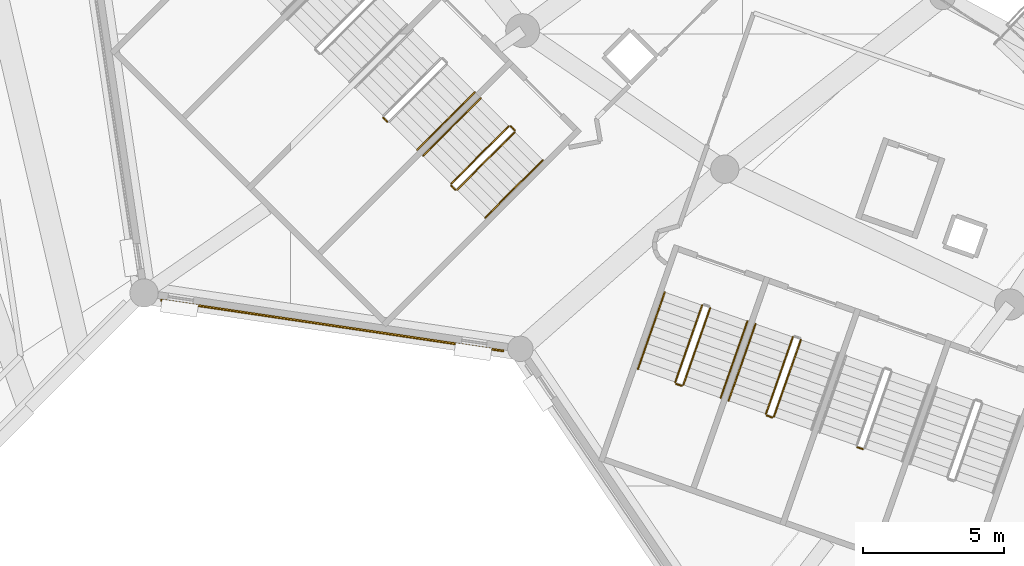
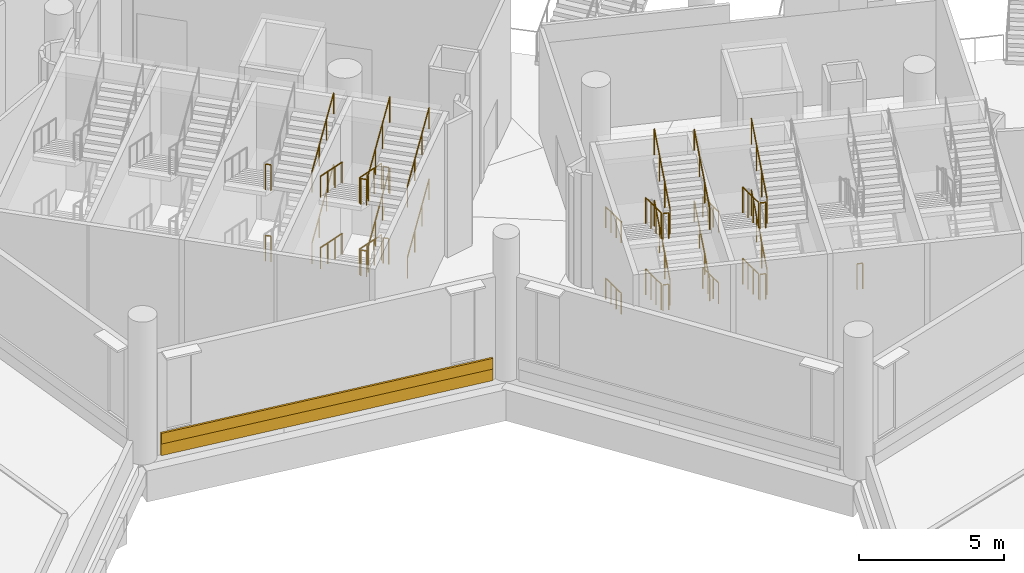
# One storey, part 108 of 173: 35 railings, 2 coverings.
"""IFC4 building model written with IfcOpenShell, lengths in metres."""

from ifc_helpers import new_model, si_unit, direction, frame, origin, origin_2d, place, context, subcontext, project, spatial, rectangle, circle, extrude, material, layer, layer_set, type_object, element, save


model = new_model("IFC4")

# Units and contexts
model_context = context("Model", 3, precision=1e-05, world=origin(), true_north=direction((0.0, 1.0)))
body_context = subcontext(model_context, "Body", "Model", "MODEL_VIEW")
ifc_project = project(units=[si_unit("LENGTHUNIT", "METRE"), si_unit("AREAUNIT", "SQUARE_METRE"), si_unit("VOLUMEUNIT", "CUBIC_METRE"), si_unit("PLANEANGLEUNIT", "RADIAN"), si_unit("MASSUNIT", "GRAM", prefix="KILO")], contexts=[model_context])

# Site, building, storey
site_placement = place(None, origin())
site = spatial("IfcSite", under=ifc_project, at=site_placement, CompositionType="ELEMENT")
building_placement = place(site_placement, origin())
building = spatial("IfcBuilding", under=site, at=building_placement, Name="Meseta Stadium", CompositionType="ELEMENT")
storey_placement = place(building_placement, frame((0.0, 0.0, 18.0)))
storey = spatial("IfcBuildingStorey", under=building, at=storey_placement, Name="L03", CompositionType="ELEMENT", Elevation=18.0)

# Covering
ifc_material_1 = material(Name="Guadarrama granite cladding", Category="masonry")
ifc_layer_1 = layer(ifc_material_1, 0.06005859375)
ifc_layer_set_1 = layer_set([ifc_layer_1], Name="Granite plinth cladding 60")
covering_type_1 = type_object("IfcCoveringType", Name="Granite plinth cladding 60", PredefinedType="CLADDING", material=ifc_layer_set_1)
covering_1_placement = place(storey_placement, frame((-78.51318359375, -90.319091796875, 0.0), z_axis=(0.0, 0.0, 1.0), x_axis=(-0.989158319768, 0.146853050476, 0.0)))
element("IfcCovering", 1, at=covering_1_placement, inside=storey, type_object=covering_type_1, Name="Granite plinth L03 F40", PredefinedType="CLADDING", context=body_context, shape_type="SweptSolid", body=[
    extrude(rectangle(XDim=12.274169921875, YDim=0.06005859375, at=origin_2d()), origin(), (0.0, 0.0, 1.0), 0.5),
])

# Railings
ifc_material_2 = material(Name="Steel S355", Category="steel")
railing_type_1 = type_object("IfcRailingType", Name="Stair guard 1100", PredefinedType="GUARDRAIL", material=ifc_material_2)
for number, where, name in (
    (2, (-76.709716796875, -82.972412109375, 1.5), "ST83 L03 guard 2"),
    (3, (-76.709716796875, -82.972412109375, 4.5), "ST83 L03 guard 6"),
):
    element("IfcRailing", number, at=place(storey_placement, frame(where)), inside=storey, type_object=railing_type_1, Name=name, PredefinedType="GUARDRAIL", context=body_context, shape_type="SweptSolid", body=[
        extrude(circle(Radius=0.02392578125, at=origin_2d()), frame((0.0, 0.0, 1.076171875), z_axis=(0.707716618519, -0.706496417452, 0.0), x_axis=(0.706496417452, 0.707716618519, 0.0)), (0.0, 0.0, 1.0), 0.2001953125),
        extrude(circle(Radius=0.02099609375, at=origin_2d()), origin(), (0.0, 0.0, 1.0), 1.052001953125),
        extrude(circle(Radius=0.02099609375, at=origin_2d()), frame((0.1416015625, -0.141357421875, 0.0)), (0.0, 0.0, 1.0), 1.052001953125),
    ])
railing_1_placement = place(storey_placement, frame((-72.26904296875, -83.269287109375, 0.14990234375)))
element("IfcRailing", 4, at=railing_1_placement, inside=storey, type_object=railing_type_1, Name="ST84 L03 guard 1", PredefinedType="GUARDRAIL", context=body_context, shape_type="SweptSolid", body=[
    extrude(circle(Radius=0.02392578125, at=origin_2d()), frame((0.0, 0.0, 1.076171875), z_axis=(-0.640211215754, -0.640287970486, 0.424453665402), x_axis=(0.707149164786, -0.707064395047, 0.0)), (0.0, 0.0, 1.0), 3.180908203125),
    extrude(circle(Radius=0.02099609375, at=origin_2d()), origin(), (0.0, 0.0, 1.0), 1.052001953125),
    extrude(circle(Radius=0.02099609375, at=origin_2d()), frame((-0.6787109375, -0.678955078125, 0.449951171875)), (0.0, 0.0, 1.0), 1.052001953125),
    extrude(circle(Radius=0.02099609375, at=origin_2d()), frame((-1.357666015625, -1.357666015625, 0.900146484375)), (0.0, 0.0, 1.0), 1.052001953125),
    extrude(circle(Radius=0.02099609375, at=origin_2d()), frame((-2.036376953125, -2.03662109375, 1.35009765625)), (0.0, 0.0, 1.0), 1.052001953125),
])
railing_2_placement = place(storey_placement, frame((-74.305419921875, -85.37646484375, 1.5)))
element("IfcRailing", 5, at=railing_2_placement, inside=storey, type_object=railing_type_1, Name="ST84 L03 guard 2", PredefinedType="GUARDRAIL", context=body_context, shape_type="SweptSolid", body=[
    extrude(circle(Radius=0.02392578125, at=origin_2d()), frame((0.0, 0.0, 1.076171875), z_axis=(0.706496417452, -0.707716618519, 0.0), x_axis=(0.707716618519, 0.706496417452, 0.0)), (0.0, 0.0, 1.0), 0.2001953125),
    extrude(circle(Radius=0.02099609375, at=origin_2d()), origin(), (0.0, 0.0, 1.0), 1.052001953125),
    extrude(circle(Radius=0.02099609375, at=origin_2d()), frame((0.141357421875, -0.1416015625, 0.0)), (0.0, 0.0, 1.0), 1.052001953125),
])
railing_3_placement = place(storey_placement, frame((-74.09326171875, -85.51806640625, 1.64990234375)))
element("IfcRailing", 6, at=railing_3_placement, inside=storey, type_object=railing_type_1, Name="ST84 L03 guard 3", PredefinedType="GUARDRAIL", context=body_context, shape_type="SweptSolid", body=[
    extrude(circle(Radius=0.02392578125, at=origin_2d()), frame((0.0, 0.0, 1.076171875), z_axis=(0.640211215754, 0.640287970486, 0.424453665402), x_axis=(-0.707149164786, 0.707064395047, 0.0)), (0.0, 0.0, 1.0), 3.180908203125),
    extrude(circle(Radius=0.02099609375, at=origin_2d()), origin(), (0.0, 0.0, 1.0), 1.052001953125),
    extrude(circle(Radius=0.02099609375, at=origin_2d()), frame((0.6787109375, 0.678955078125, 0.449951171875)), (0.0, 0.0, 1.0), 1.052001953125),
    extrude(circle(Radius=0.02099609375, at=origin_2d()), frame((1.357666015625, 1.357666015625, 0.900146484375)), (0.0, 0.0, 1.0), 1.052001953125),
    extrude(circle(Radius=0.02099609375, at=origin_2d()), frame((2.036376953125, 2.03662109375, 1.35009765625)), (0.0, 0.0, 1.0), 1.052001953125),
])
railing_4_placement = place(storey_placement, frame((-72.1982421875, -83.269287109375, 3.0)))
element("IfcRailing", 7, at=railing_4_placement, inside=storey, type_object=railing_type_1, Name="ST84 L03 guard 4", PredefinedType="GUARDRAIL", context=body_context, shape_type="SweptSolid", body=[
    extrude(circle(Radius=0.02392578125, at=origin_2d()), frame((0.0, 0.0, 1.076171875), z_axis=(0.706496417452, -0.707716618519, 0.0), x_axis=(0.707716618519, 0.706496417452, 0.0)), (0.0, 0.0, 1.0), 0.2001953125),
    extrude(circle(Radius=0.02099609375, at=origin_2d()), origin(), (0.0, 0.0, 1.0), 1.052001953125),
    extrude(circle(Radius=0.02099609375, at=origin_2d()), frame((0.141357421875, -0.1416015625, 0.0)), (0.0, 0.0, 1.0), 1.052001953125),
])
railing_5_placement = place(storey_placement, frame((-72.26904296875, -83.269287109375, 3.14990234375)))
element("IfcRailing", 8, at=railing_5_placement, inside=storey, type_object=railing_type_1, Name="ST84 L03 guard 5", PredefinedType="GUARDRAIL", context=body_context, shape_type="SweptSolid", body=[
    extrude(circle(Radius=0.02392578125, at=origin_2d()), frame((0.0, 0.0, 1.076171875), z_axis=(-0.640211215754, -0.640287970486, 0.424453665402), x_axis=(0.707149164786, -0.707064395047, 0.0)), (0.0, 0.0, 1.0), 3.180908203125),
    extrude(circle(Radius=0.02099609375, at=origin_2d()), origin(), (0.0, 0.0, 1.0), 1.052001953125),
    extrude(circle(Radius=0.02099609375, at=origin_2d()), frame((-0.6787109375, -0.678955078125, 0.449951171875)), (0.0, 0.0, 1.0), 1.052001953125),
    extrude(circle(Radius=0.02099609375, at=origin_2d()), frame((-1.357666015625, -1.357666015625, 0.900146484375)), (0.0, 0.0, 1.0), 1.052001953125),
    extrude(circle(Radius=0.02099609375, at=origin_2d()), frame((-2.036376953125, -2.03662109375, 1.35009765625)), (0.0, 0.0, 1.0), 1.052001953125),
])
railing_6_placement = place(storey_placement, frame((-74.305419921875, -85.37646484375, 4.5)))
element("IfcRailing", 9, at=railing_6_placement, inside=storey, type_object=railing_type_1, Name="ST84 L03 guard 6", PredefinedType="GUARDRAIL", context=body_context, shape_type="SweptSolid", body=[
    extrude(circle(Radius=0.02392578125, at=origin_2d()), frame((0.0, 0.0, 1.076171875), z_axis=(0.706496417452, -0.707716618519, 0.0), x_axis=(0.707716618519, 0.706496417452, 0.0)), (0.0, 0.0, 1.0), 0.2001953125),
    extrude(circle(Radius=0.02099609375, at=origin_2d()), origin(), (0.0, 0.0, 1.0), 1.052001953125),
    extrude(circle(Radius=0.02099609375, at=origin_2d()), frame((0.141357421875, -0.1416015625, 0.0)), (0.0, 0.0, 1.0), 1.052001953125),
])
railing_7_placement = place(storey_placement, frame((-74.09326171875, -85.51806640625, 4.64990234375)))
element("IfcRailing", 10, at=railing_7_placement, inside=storey, type_object=railing_type_1, Name="ST84 L03 guard 7", PredefinedType="GUARDRAIL", context=body_context, shape_type="SweptSolid", body=[
    extrude(circle(Radius=0.02392578125, at=origin_2d()), frame((0.0, 0.0, 1.076171875), z_axis=(0.640211215754, 0.640287970486, 0.424453665402), x_axis=(-0.707149164786, 0.707064395047, 0.0)), (0.0, 0.0, 1.0), 3.180908203125),
    extrude(circle(Radius=0.02099609375, at=origin_2d()), origin(), (0.0, 0.0, 1.0), 1.052001953125),
    extrude(circle(Radius=0.02099609375, at=origin_2d()), frame((0.6787109375, 0.678955078125, 0.449951171875)), (0.0, 0.0, 1.0), 1.052001953125),
    extrude(circle(Radius=0.02099609375, at=origin_2d()), frame((1.357666015625, 1.357666015625, 0.900146484375)), (0.0, 0.0, 1.0), 1.052001953125),
    extrude(circle(Radius=0.02099609375, at=origin_2d()), frame((2.036376953125, 2.03662109375, 1.35009765625)), (0.0, 0.0, 1.0), 1.052001953125),
])
railing_8_placement = place(storey_placement, frame((-72.1982421875, -83.269287109375, 0.0)))
element("IfcRailing", 11, at=railing_8_placement, inside=storey, type_object=railing_type_1, Name="ST84 L03 guard 8", PredefinedType="GUARDRAIL", context=body_context, shape_type="SweptSolid", body=[
    extrude(circle(Radius=0.02392578125, at=origin_2d()), frame((0.0, 0.0, 1.076171875), z_axis=(0.706496417452, -0.707716618519, 0.0), x_axis=(0.707716618519, 0.706496417452, 0.0)), (0.0, 0.0, 1.0), 0.2001953125),
    extrude(circle(Radius=0.02099609375, at=origin_2d()), origin(), (0.0, 0.0, 1.0), 1.052001953125),
    extrude(circle(Radius=0.02099609375, at=origin_2d()), frame((0.141357421875, -0.1416015625, 0.0)), (0.0, 0.0, 1.0), 1.052001953125),
])
railing_9_placement = place(storey_placement, frame((-65.421630859375, -89.608154296875, 0.14990234375)))
element("IfcRailing", 12, at=railing_9_placement, inside=storey, type_object=railing_type_1, Name="ST85 L03 guard 1", PredefinedType="GUARDRAIL", context=body_context, shape_type="SweptSolid", body=[
    extrude(circle(Radius=0.02392578125, at=origin_2d()), frame((0.0, 0.0, 1.076171875), z_axis=(-0.299050945451, -0.854628651604, 0.424474262922), x_axis=(0.943882143717, -0.33028245302, 0.0)), (0.0, 0.0, 1.0), 3.1806640625),
    extrude(circle(Radius=0.02099609375, at=origin_2d()), origin(), (0.0, 0.0, 1.0), 1.052001953125),
    extrude(circle(Radius=0.02099609375, at=origin_2d()), frame((-0.317138671875, -0.906005859375, 0.449951171875)), (0.0, 0.0, 1.0), 1.052001953125),
    extrude(circle(Radius=0.02099609375, at=origin_2d()), frame((-0.634033203125, -1.812255859375, 0.900146484375)), (0.0, 0.0, 1.0), 1.052001953125),
    extrude(circle(Radius=0.02099609375, at=origin_2d()), frame((-0.951171875, -2.71826171875, 1.35009765625)), (0.0, 0.0, 1.0), 1.052001953125),
])
railing_10_placement = place(storey_placement, frame((-66.342041015625, -92.39013671875, 1.5)))
element("IfcRailing", 13, at=railing_10_placement, inside=storey, type_object=railing_type_1, Name="ST85 L03 guard 2", PredefinedType="GUARDRAIL", context=body_context, shape_type="SweptSolid", body=[
    extrude(circle(Radius=0.02392578125, at=origin_2d()), frame((0.0, 0.0, 1.076171875), z_axis=(0.943686935281, -0.330839792317, 0.0), x_axis=(0.330839792317, 0.943686935281, 0.0)), (0.0, 0.0, 1.0), 0.199951171875),
    extrude(circle(Radius=0.02099609375, at=origin_2d()), origin(), (0.0, 0.0, 1.0), 1.052001953125),
    extrude(circle(Radius=0.02099609375, at=origin_2d()), frame((0.188720703125, -0.066162109375, 0.0)), (0.0, 0.0, 1.0), 1.052001953125),
])
railing_11_placement = place(storey_placement, frame((-66.089599609375, -92.425537109375, 1.64990234375)))
element("IfcRailing", 14, at=railing_11_placement, inside=storey, type_object=railing_type_1, Name="ST85 L03 guard 3", PredefinedType="GUARDRAIL", context=body_context, shape_type="SweptSolid", body=[
    extrude(circle(Radius=0.02392578125, at=origin_2d()), frame((0.0, 0.0, 1.076171875), z_axis=(0.299050945451, 0.854628651604, 0.424474262922), x_axis=(-0.943882143717, 0.33028245302, 0.0)), (0.0, 0.0, 1.0), 3.1806640625),
    extrude(circle(Radius=0.02099609375, at=origin_2d()), origin(), (0.0, 0.0, 1.0), 1.052001953125),
    extrude(circle(Radius=0.02099609375, at=origin_2d()), frame((0.317138671875, 0.906005859375, 0.449951171875)), (0.0, 0.0, 1.0), 1.052001953125),
    extrude(circle(Radius=0.02099609375, at=origin_2d()), frame((0.634033203125, 1.812255859375, 0.900146484375)), (0.0, 0.0, 1.0), 1.052001953125),
    extrude(circle(Radius=0.02099609375, at=origin_2d()), frame((0.951171875, 2.71826171875, 1.35009765625)), (0.0, 0.0, 1.0), 1.052001953125),
])
railing_12_placement = place(storey_placement, frame((-65.421630859375, -89.608154296875, 3.14990234375)))
element("IfcRailing", 15, at=railing_12_placement, inside=storey, type_object=railing_type_1, Name="ST85 L03 guard 5", PredefinedType="GUARDRAIL", context=body_context, shape_type="SweptSolid", body=[
    extrude(circle(Radius=0.02392578125, at=origin_2d()), frame((0.0, 0.0, 1.076171875), z_axis=(-0.299050945451, -0.854628651604, 0.424474262922), x_axis=(0.943882143717, -0.33028245302, 0.0)), (0.0, 0.0, 1.0), 3.1806640625),
    extrude(circle(Radius=0.02099609375, at=origin_2d()), origin(), (0.0, 0.0, 1.0), 1.052001953125),
    extrude(circle(Radius=0.02099609375, at=origin_2d()), frame((-0.317138671875, -0.906005859375, 0.449951171875)), (0.0, 0.0, 1.0), 1.052001953125),
    extrude(circle(Radius=0.02099609375, at=origin_2d()), frame((-0.634033203125, -1.812255859375, 0.900146484375)), (0.0, 0.0, 1.0), 1.052001953125),
    extrude(circle(Radius=0.02099609375, at=origin_2d()), frame((-0.951171875, -2.71826171875, 1.35009765625)), (0.0, 0.0, 1.0), 1.052001953125),
])
railing_13_placement = place(storey_placement, frame((-66.342041015625, -92.39013671875, 4.5)))
element("IfcRailing", 16, at=railing_13_placement, inside=storey, type_object=railing_type_1, Name="ST85 L03 guard 6", PredefinedType="GUARDRAIL", context=body_context, shape_type="SweptSolid", body=[
    extrude(circle(Radius=0.02392578125, at=origin_2d()), frame((0.0, 0.0, 1.076171875), z_axis=(0.943686935281, -0.330839792317, 0.0), x_axis=(0.330839792317, 0.943686935281, 0.0)), (0.0, 0.0, 1.0), 0.199951171875),
    extrude(circle(Radius=0.02099609375, at=origin_2d()), origin(), (0.0, 0.0, 1.0), 1.052001953125),
    extrude(circle(Radius=0.02099609375, at=origin_2d()), frame((0.188720703125, -0.066162109375, 0.0)), (0.0, 0.0, 1.0), 1.052001953125),
])
railing_14_placement = place(storey_placement, frame((-66.089599609375, -92.425537109375, 4.64990234375)))
element("IfcRailing", 17, at=railing_14_placement, inside=storey, type_object=railing_type_1, Name="ST85 L03 guard 7", PredefinedType="GUARDRAIL", context=body_context, shape_type="SweptSolid", body=[
    extrude(circle(Radius=0.02392578125, at=origin_2d()), frame((0.0, 0.0, 1.076171875), z_axis=(0.299050945451, 0.854628651604, 0.424474262922), x_axis=(-0.943882143717, 0.33028245302, 0.0)), (0.0, 0.0, 1.0), 3.1806640625),
    extrude(circle(Radius=0.02099609375, at=origin_2d()), origin(), (0.0, 0.0, 1.0), 1.052001953125),
    extrude(circle(Radius=0.02099609375, at=origin_2d()), frame((0.317138671875, 0.906005859375, 0.449951171875)), (0.0, 0.0, 1.0), 1.052001953125),
    extrude(circle(Radius=0.02099609375, at=origin_2d()), frame((0.634033203125, 1.812255859375, 0.900146484375)), (0.0, 0.0, 1.0), 1.052001953125),
    extrude(circle(Radius=0.02099609375, at=origin_2d()), frame((0.951171875, 2.71826171875, 1.35009765625)), (0.0, 0.0, 1.0), 1.052001953125),
])
railing_15_placement = place(storey_placement, frame((-62.21240234375, -90.73095703125, 0.14990234375)))
element("IfcRailing", 18, at=railing_15_placement, inside=storey, type_object=railing_type_1, Name="ST86 L03 guard 1", PredefinedType="GUARDRAIL", context=body_context, shape_type="SweptSolid", body=[
    extrude(circle(Radius=0.02392578125, at=origin_2d()), frame((0.0, 0.0, 1.076171875), z_axis=(-0.299031328765, -0.854649344405, 0.42444641891), x_axis=(0.943891390388, -0.330256026668, 0.0)), (0.0, 0.0, 1.0), 3.180908203125),
    extrude(circle(Radius=0.02099609375, at=origin_2d()), origin(), (0.0, 0.0, 1.0), 1.052001953125),
    extrude(circle(Radius=0.02099609375, at=origin_2d()), frame((-0.317138671875, -0.90625, 0.449951171875)), (0.0, 0.0, 1.0), 1.052001953125),
    extrude(circle(Radius=0.02099609375, at=origin_2d()), frame((-0.634033203125, -1.812255859375, 0.900146484375)), (0.0, 0.0, 1.0), 1.052001953125),
    extrude(circle(Radius=0.02099609375, at=origin_2d()), frame((-0.951171875, -2.718505859375, 1.35009765625)), (0.0, 0.0, 1.0), 1.052001953125),
])
railing_16_placement = place(storey_placement, frame((-63.1328125, -93.51318359375, 1.5)))
element("IfcRailing", 19, at=railing_16_placement, inside=storey, type_object=railing_type_1, Name="ST86 L03 guard 2", PredefinedType="GUARDRAIL", context=body_context, shape_type="SweptSolid", body=[
    extrude(circle(Radius=0.02392578125, at=origin_2d()), frame((0.0, 0.0, 1.076171875), z_axis=(0.944067610699, -0.329751946816, 0.0), x_axis=(0.329751946816, 0.944067610699, 0.0)), (0.0, 0.0, 1.0), 0.199951171875),
    extrude(circle(Radius=0.02099609375, at=origin_2d()), origin(), (0.0, 0.0, 1.0), 1.052001953125),
    extrude(circle(Radius=0.02099609375, at=origin_2d()), frame((0.188720703125, -0.06591796875, 0.0)), (0.0, 0.0, 1.0), 1.052001953125),
])
railing_17_placement = place(storey_placement, frame((-62.88037109375, -93.548583984375, 1.64990234375)))
element("IfcRailing", 20, at=railing_17_placement, inside=storey, type_object=railing_type_1, Name="ST86 L03 guard 3", PredefinedType="GUARDRAIL", context=body_context, shape_type="SweptSolid", body=[
    extrude(circle(Radius=0.02392578125, at=origin_2d()), frame((0.0, 0.0, 1.076171875), z_axis=(0.299031328765, 0.854649344405, 0.42444641891), x_axis=(-0.943891390388, 0.330256026668, 0.0)), (0.0, 0.0, 1.0), 3.180908203125),
    extrude(circle(Radius=0.02099609375, at=origin_2d()), origin(), (0.0, 0.0, 1.0), 1.052001953125),
    extrude(circle(Radius=0.02099609375, at=origin_2d()), frame((0.317138671875, 0.90625, 0.449951171875)), (0.0, 0.0, 1.0), 1.052001953125),
    extrude(circle(Radius=0.02099609375, at=origin_2d()), frame((0.634033203125, 1.812255859375, 0.900146484375)), (0.0, 0.0, 1.0), 1.052001953125),
    extrude(circle(Radius=0.02099609375, at=origin_2d()), frame((0.951171875, 2.718505859375, 1.35009765625)), (0.0, 0.0, 1.0), 1.052001953125),
])
railing_18_placement = place(storey_placement, frame((-62.21240234375, -90.73095703125, 3.14990234375)))
element("IfcRailing", 21, at=railing_18_placement, inside=storey, type_object=railing_type_1, Name="ST86 L03 guard 5", PredefinedType="GUARDRAIL", context=body_context, shape_type="SweptSolid", body=[
    extrude(circle(Radius=0.02392578125, at=origin_2d()), frame((0.0, 0.0, 1.076171875), z_axis=(-0.299031328765, -0.854649344405, 0.42444641891), x_axis=(0.943891390388, -0.330256026668, 0.0)), (0.0, 0.0, 1.0), 3.180908203125),
    extrude(circle(Radius=0.02099609375, at=origin_2d()), origin(), (0.0, 0.0, 1.0), 1.052001953125),
    extrude(circle(Radius=0.02099609375, at=origin_2d()), frame((-0.317138671875, -0.90625, 0.449951171875)), (0.0, 0.0, 1.0), 1.052001953125),
    extrude(circle(Radius=0.02099609375, at=origin_2d()), frame((-0.634033203125, -1.812255859375, 0.900146484375)), (0.0, 0.0, 1.0), 1.052001953125),
    extrude(circle(Radius=0.02099609375, at=origin_2d()), frame((-0.951171875, -2.718505859375, 1.35009765625)), (0.0, 0.0, 1.0), 1.052001953125),
])
railing_19_placement = place(storey_placement, frame((-63.1328125, -93.51318359375, 4.5)))
element("IfcRailing", 22, at=railing_19_placement, inside=storey, type_object=railing_type_1, Name="ST86 L03 guard 6", PredefinedType="GUARDRAIL", context=body_context, shape_type="SweptSolid", body=[
    extrude(circle(Radius=0.02392578125, at=origin_2d()), frame((0.0, 0.0, 1.076171875), z_axis=(0.944067610699, -0.329751946816, 0.0), x_axis=(0.329751946816, 0.944067610699, 0.0)), (0.0, 0.0, 1.0), 0.199951171875),
    extrude(circle(Radius=0.02099609375, at=origin_2d()), origin(), (0.0, 0.0, 1.0), 1.052001953125),
    extrude(circle(Radius=0.02099609375, at=origin_2d()), frame((0.188720703125, -0.06591796875, 0.0)), (0.0, 0.0, 1.0), 1.052001953125),
])
railing_20_placement = place(storey_placement, frame((-62.88037109375, -93.548583984375, 4.64990234375)))
element("IfcRailing", 23, at=railing_20_placement, inside=storey, type_object=railing_type_1, Name="ST86 L03 guard 7", PredefinedType="GUARDRAIL", context=body_context, shape_type="SweptSolid", body=[
    extrude(circle(Radius=0.02392578125, at=origin_2d()), frame((0.0, 0.0, 1.076171875), z_axis=(0.299031328765, 0.854649344405, 0.42444641891), x_axis=(-0.943891390388, 0.330256026668, 0.0)), (0.0, 0.0, 1.0), 3.180908203125),
    extrude(circle(Radius=0.02099609375, at=origin_2d()), origin(), (0.0, 0.0, 1.0), 1.052001953125),
    extrude(circle(Radius=0.02099609375, at=origin_2d()), frame((0.317138671875, 0.90625, 0.449951171875)), (0.0, 0.0, 1.0), 1.052001953125),
    extrude(circle(Radius=0.02099609375, at=origin_2d()), frame((0.634033203125, 1.812255859375, 0.900146484375)), (0.0, 0.0, 1.0), 1.052001953125),
    extrude(circle(Radius=0.02099609375, at=origin_2d()), frame((0.951171875, 2.718505859375, 1.35009765625)), (0.0, 0.0, 1.0), 1.052001953125),
])
railing_21_placement = place(storey_placement, frame((-59.923828125, -94.63623046875, 1.5)))
element("IfcRailing", 24, at=railing_21_placement, inside=storey, type_object=railing_type_1, Name="ST87 L03 guard 2", PredefinedType="GUARDRAIL", context=body_context, shape_type="SweptSolid", body=[
    extrude(circle(Radius=0.02392578125, at=origin_2d()), frame((0.0, 0.0, 1.076171875), z_axis=(0.944200181446, -0.329372156318, 0.0), x_axis=(0.329372156318, 0.944200181446, 0.0)), (0.0, 0.0, 1.0), 0.2001953125),
    extrude(circle(Radius=0.02099609375, at=origin_2d()), origin(), (0.0, 0.0, 1.0), 1.052001953125),
    extrude(circle(Radius=0.02099609375, at=origin_2d()), frame((0.18896484375, -0.06591796875, 0.0)), (0.0, 0.0, 1.0), 1.052001953125),
])
ifc_material_3 = material(Name="Steel S355", Category="steel")
railing_type_2 = type_object("IfcRailingType", Name="Stair handrail 900", PredefinedType="HANDRAIL", material=ifc_material_3)
for number, where, name in (
    (25, (-75.507568359375, -84.103759765625, 1.64990234375), "ST83 L03 handrail 2"),
    (26, (-75.507568359375, -84.103759765625, 4.64990234375), "ST83 L03 handrail 4"),
):
    element("IfcRailing", number, at=place(storey_placement, frame(where)), inside=storey, type_object=railing_type_2, Name=name, PredefinedType="HANDRAIL", context=body_context, shape_type="SweptSolid", body=[
        extrude(circle(Radius=0.02392578125, at=origin_2d()), frame((0.0, 0.0, 0.8759765625), z_axis=(0.640242679452, 0.640242679452, 0.424474525521), x_axis=(-0.707106781187, 0.707106781187, 0.0)), (0.0, 0.0, 1.0), 3.1806640625),
        extrude(circle(Radius=0.02099609375, at=origin_2d()), origin(), (0.0, 0.0, 1.0), 0.851806640625),
        extrude(circle(Radius=0.02099609375, at=origin_2d()), frame((0.6787109375, 0.6787109375, 0.449951171875)), (0.0, 0.0, 1.0), 0.851806640625),
        extrude(circle(Radius=0.02099609375, at=origin_2d()), frame((1.357666015625, 1.357666015625, 0.900146484375)), (0.0, 0.0, 1.0), 0.851806640625),
        extrude(circle(Radius=0.02099609375, at=origin_2d()), frame((2.036376953125, 2.036376953125, 1.35009765625)), (0.0, 0.0, 1.0), 0.851806640625),
    ])
railing_22_placement = place(storey_placement, frame((-73.259033203125, -82.279541015625, 0.14990234375)))
element("IfcRailing", 27, at=railing_22_placement, inside=storey, type_object=railing_type_2, Name="ST84 L03 handrail 1", PredefinedType="HANDRAIL", context=body_context, shape_type="SweptSolid", body=[
    extrude(circle(Radius=0.02392578125, at=origin_2d()), frame((0.0, 0.0, 0.8759765625), z_axis=(-0.640242679452, -0.640242679452, 0.424474525521), x_axis=(0.707106781187, -0.707106781187, 0.0)), (0.0, 0.0, 1.0), 3.1806640625),
    extrude(circle(Radius=0.02099609375, at=origin_2d()), origin(), (0.0, 0.0, 1.0), 0.851806640625),
    extrude(circle(Radius=0.02099609375, at=origin_2d()), frame((-0.6787109375, -0.6787109375, 0.449951171875)), (0.0, 0.0, 1.0), 0.851806640625),
    extrude(circle(Radius=0.02099609375, at=origin_2d()), frame((-1.357666015625, -1.357666015625, 0.900146484375)), (0.0, 0.0, 1.0), 0.851806640625),
    extrude(circle(Radius=0.02099609375, at=origin_2d()), frame((-2.036376953125, -2.036376953125, 1.35009765625)), (0.0, 0.0, 1.0), 0.851806640625),
])
railing_23_placement = place(storey_placement, frame((-73.103515625, -86.5078125, 1.64990234375)))
element("IfcRailing", 28, at=railing_23_placement, inside=storey, type_object=railing_type_2, Name="ST84 L03 handrail 2", PredefinedType="HANDRAIL", context=body_context, shape_type="SweptSolid", body=[
    extrude(circle(Radius=0.02392578125, at=origin_2d()), frame((0.0, 0.0, 0.8759765625), z_axis=(0.640287970486, 0.640211215754, 0.424453665402), x_axis=(-0.707064395047, 0.707149164786, 0.0)), (0.0, 0.0, 1.0), 3.180908203125),
    extrude(circle(Radius=0.02099609375, at=origin_2d()), origin(), (0.0, 0.0, 1.0), 0.851806640625),
    extrude(circle(Radius=0.02099609375, at=origin_2d()), frame((0.678955078125, 0.6787109375, 0.449951171875)), (0.0, 0.0, 1.0), 0.851806640625),
    extrude(circle(Radius=0.02099609375, at=origin_2d()), frame((1.357666015625, 1.357666015625, 0.900146484375)), (0.0, 0.0, 1.0), 0.851806640625),
    extrude(circle(Radius=0.02099609375, at=origin_2d()), frame((2.03662109375, 2.036376953125, 1.35009765625)), (0.0, 0.0, 1.0), 0.851806640625),
])
railing_24_placement = place(storey_placement, frame((-73.259033203125, -82.279541015625, 3.14990234375)))
element("IfcRailing", 29, at=railing_24_placement, inside=storey, type_object=railing_type_2, Name="ST84 L03 handrail 3", PredefinedType="HANDRAIL", context=body_context, shape_type="SweptSolid", body=[
    extrude(circle(Radius=0.02392578125, at=origin_2d()), frame((0.0, 0.0, 0.8759765625), z_axis=(-0.640242679452, -0.640242679452, 0.424474525521), x_axis=(0.707106781187, -0.707106781187, 0.0)), (0.0, 0.0, 1.0), 3.1806640625),
    extrude(circle(Radius=0.02099609375, at=origin_2d()), origin(), (0.0, 0.0, 1.0), 0.851806640625),
    extrude(circle(Radius=0.02099609375, at=origin_2d()), frame((-0.6787109375, -0.6787109375, 0.449951171875)), (0.0, 0.0, 1.0), 0.851806640625),
    extrude(circle(Radius=0.02099609375, at=origin_2d()), frame((-1.357666015625, -1.357666015625, 0.900146484375)), (0.0, 0.0, 1.0), 0.851806640625),
    extrude(circle(Radius=0.02099609375, at=origin_2d()), frame((-2.036376953125, -2.036376953125, 1.35009765625)), (0.0, 0.0, 1.0), 0.851806640625),
])
railing_25_placement = place(storey_placement, frame((-73.103515625, -86.5078125, 4.64990234375)))
element("IfcRailing", 30, at=railing_25_placement, inside=storey, type_object=railing_type_2, Name="ST84 L03 handrail 4", PredefinedType="HANDRAIL", context=body_context, shape_type="SweptSolid", body=[
    extrude(circle(Radius=0.02392578125, at=origin_2d()), frame((0.0, 0.0, 0.8759765625), z_axis=(0.640287970486, 0.640211215754, 0.424453665402), x_axis=(-0.707064395047, 0.707149164786, 0.0)), (0.0, 0.0, 1.0), 3.180908203125),
    extrude(circle(Radius=0.02099609375, at=origin_2d()), origin(), (0.0, 0.0, 1.0), 0.851806640625),
    extrude(circle(Radius=0.02099609375, at=origin_2d()), frame((0.678955078125, 0.6787109375, 0.449951171875)), (0.0, 0.0, 1.0), 0.851806640625),
    extrude(circle(Radius=0.02099609375, at=origin_2d()), frame((1.357666015625, 1.357666015625, 0.900146484375)), (0.0, 0.0, 1.0), 0.851806640625),
    extrude(circle(Radius=0.02099609375, at=origin_2d()), frame((2.03662109375, 2.036376953125, 1.35009765625)), (0.0, 0.0, 1.0), 0.851806640625),
])
railing_26_placement = place(storey_placement, frame((-66.7431640625, -89.145751953125, 0.14990234375)))
element("IfcRailing", 31, at=railing_26_placement, inside=storey, type_object=railing_type_2, Name="ST85 L03 handrail 1", PredefinedType="HANDRAIL", context=body_context, shape_type="SweptSolid", body=[
    extrude(circle(Radius=0.02392578125, at=origin_2d()), frame((0.0, 0.0, 0.8759765625), z_axis=(-0.299050945451, -0.854628651604, 0.424474262922), x_axis=(0.943882143717, -0.33028245302, 0.0)), (0.0, 0.0, 1.0), 3.1806640625),
    extrude(circle(Radius=0.02099609375, at=origin_2d()), origin(), (0.0, 0.0, 1.0), 0.851806640625),
    extrude(circle(Radius=0.02099609375, at=origin_2d()), frame((-0.317138671875, -0.906005859375, 0.449951171875)), (0.0, 0.0, 1.0), 0.851806640625),
    extrude(circle(Radius=0.02099609375, at=origin_2d()), frame((-0.634033203125, -1.812255859375, 0.900146484375)), (0.0, 0.0, 1.0), 0.851806640625),
    extrude(circle(Radius=0.02099609375, at=origin_2d()), frame((-0.951171875, -2.71826171875, 1.35009765625)), (0.0, 0.0, 1.0), 0.851806640625),
])
railing_27_placement = place(storey_placement, frame((-64.768310546875, -92.887939453125, 1.64990234375)))
element("IfcRailing", 32, at=railing_27_placement, inside=storey, type_object=railing_type_2, Name="ST85 L03 handrail 2", PredefinedType="HANDRAIL", context=body_context, shape_type="SweptSolid", body=[
    extrude(circle(Radius=0.02392578125, at=origin_2d()), frame((0.0, 0.0, 0.8759765625), z_axis=(0.299120836879, 0.854609032027, 0.424464518332), x_axis=(-0.943855713099, 0.330357976823, 0.0)), (0.0, 0.0, 1.0), 3.1806640625),
    extrude(circle(Radius=0.02099609375, at=origin_2d()), origin(), (0.0, 0.0, 1.0), 0.851806640625),
    extrude(circle(Radius=0.02099609375, at=origin_2d()), frame((0.317138671875, 0.906005859375, 0.449951171875)), (0.0, 0.0, 1.0), 0.851806640625),
    extrude(circle(Radius=0.02099609375, at=origin_2d()), frame((0.63427734375, 1.812255859375, 0.900146484375)), (0.0, 0.0, 1.0), 0.851806640625),
    extrude(circle(Radius=0.02099609375, at=origin_2d()), frame((0.951416015625, 2.71826171875, 1.35009765625)), (0.0, 0.0, 1.0), 0.851806640625),
])
railing_28_placement = place(storey_placement, frame((-66.7431640625, -89.145751953125, 3.14990234375)))
element("IfcRailing", 33, at=railing_28_placement, inside=storey, type_object=railing_type_2, Name="ST85 L03 handrail 3", PredefinedType="HANDRAIL", context=body_context, shape_type="SweptSolid", body=[
    extrude(circle(Radius=0.02392578125, at=origin_2d()), frame((0.0, 0.0, 0.8759765625), z_axis=(-0.299050945451, -0.854628651604, 0.424474262922), x_axis=(0.943882143717, -0.33028245302, 0.0)), (0.0, 0.0, 1.0), 3.1806640625),
    extrude(circle(Radius=0.02099609375, at=origin_2d()), origin(), (0.0, 0.0, 1.0), 0.851806640625),
    extrude(circle(Radius=0.02099609375, at=origin_2d()), frame((-0.317138671875, -0.906005859375, 0.449951171875)), (0.0, 0.0, 1.0), 0.851806640625),
    extrude(circle(Radius=0.02099609375, at=origin_2d()), frame((-0.634033203125, -1.812255859375, 0.900146484375)), (0.0, 0.0, 1.0), 0.851806640625),
    extrude(circle(Radius=0.02099609375, at=origin_2d()), frame((-0.951171875, -2.71826171875, 1.35009765625)), (0.0, 0.0, 1.0), 0.851806640625),
])
railing_29_placement = place(storey_placement, frame((-64.768310546875, -92.887939453125, 4.64990234375)))
element("IfcRailing", 34, at=railing_29_placement, inside=storey, type_object=railing_type_2, Name="ST85 L03 handrail 4", PredefinedType="HANDRAIL", context=body_context, shape_type="SweptSolid", body=[
    extrude(circle(Radius=0.02392578125, at=origin_2d()), frame((0.0, 0.0, 0.8759765625), z_axis=(0.299120836879, 0.854609032027, 0.424464518332), x_axis=(-0.943855713099, 0.330357976823, 0.0)), (0.0, 0.0, 1.0), 3.1806640625),
    extrude(circle(Radius=0.02099609375, at=origin_2d()), origin(), (0.0, 0.0, 1.0), 0.851806640625),
    extrude(circle(Radius=0.02099609375, at=origin_2d()), frame((0.317138671875, 0.906005859375, 0.449951171875)), (0.0, 0.0, 1.0), 0.851806640625),
    extrude(circle(Radius=0.02099609375, at=origin_2d()), frame((0.63427734375, 1.812255859375, 0.900146484375)), (0.0, 0.0, 1.0), 0.851806640625),
    extrude(circle(Radius=0.02099609375, at=origin_2d()), frame((0.951416015625, 2.71826171875, 1.35009765625)), (0.0, 0.0, 1.0), 0.851806640625),
])
for number, where, name in (
    (35, (-63.533935546875, -90.268798828125, 0.14990234375), "ST86 L03 handrail 1"),
    (36, (-63.533935546875, -90.268798828125, 3.14990234375), "ST86 L03 handrail 3"),
):
    element("IfcRailing", number, at=place(storey_placement, frame(where)), inside=storey, type_object=railing_type_2, Name=name, PredefinedType="HANDRAIL", context=body_context, shape_type="SweptSolid", body=[
        extrude(circle(Radius=0.02392578125, at=origin_2d()), frame((0.0, 0.0, 0.8759765625), z_axis=(-0.299050945451, -0.854628651604, 0.424474262922), x_axis=(0.943882143717, -0.33028245302, 0.0)), (0.0, 0.0, 1.0), 3.1806640625),
        extrude(circle(Radius=0.02099609375, at=origin_2d()), origin(), (0.0, 0.0, 1.0), 0.851806640625),
        extrude(circle(Radius=0.02099609375, at=origin_2d()), frame((-0.317138671875, -0.906005859375, 0.449951171875)), (0.0, 0.0, 1.0), 0.851806640625),
        extrude(circle(Radius=0.02099609375, at=origin_2d()), frame((-0.634033203125, -1.812255859375, 0.900146484375)), (0.0, 0.0, 1.0), 0.851806640625),
        extrude(circle(Radius=0.02099609375, at=origin_2d()), frame((-0.951171875, -2.71826171875, 1.35009765625)), (0.0, 0.0, 1.0), 0.851806640625),
    ])

# Covering
ifc_material_4 = material(Name="Precast concrete C40/50, terracotta pigment", Category="masonry")
ifc_layer_2 = layer(ifc_material_4, 0.080078125)
ifc_layer_set_2 = layer_set([ifc_layer_2], Name="Precast concrete C40/50, terracotta pigment")
covering_type_2 = type_object("IfcCoveringType", Name="Terracotta precast band 80", PredefinedType="CLADDING", material=ifc_layer_set_2)
covering_2_placement = place(storey_placement, frame((-78.514892578125, -90.3291015625, 0.5), z_axis=(0.0, 0.0, 1.0), x_axis=(-0.989158319768, 0.146853050476, 0.0)))
element("IfcCovering", 37, at=covering_2_placement, inside=storey, type_object=covering_type_2, Name="Terracotta band L03 F40", PredefinedType="CLADDING", context=body_context, shape_type="SweptSolid", body=[
    extrude(rectangle(XDim=12.274169921875, YDim=0.080078125, at=origin_2d()), origin(), (0.0, 0.0, 1.0), 0.449951171875),
])

save(model, "model.ifc")
